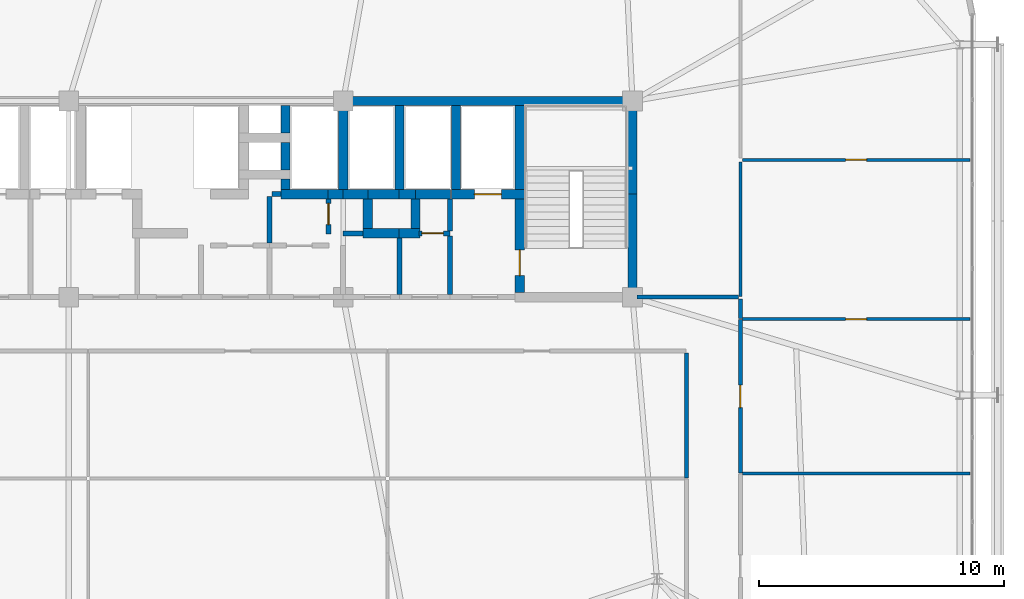
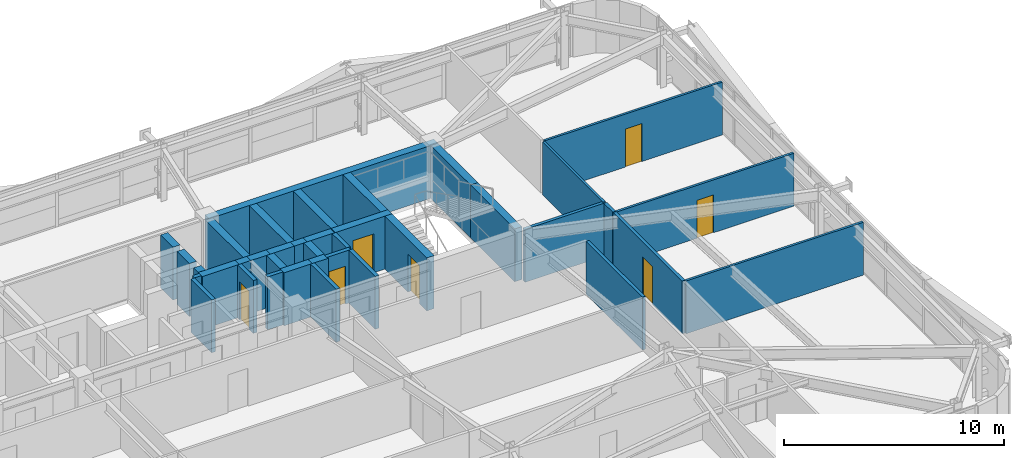
# One storey, part 55 of 59: 38 walls, 7 doors, 7 openings.
"""IFC4 building model written with IfcOpenShell, lengths in metres."""

from ifc_helpers import new_model, si_unit, direction, frame, frame_2d, origin, place, context, subcontext, project, spatial, rectangle, extrude, source, transform, mapped, material, layer, layer_set, type_object, element, fill, save


model = new_model("IFC4")

# Units and contexts
model_context = context("Model", 3, precision=1e-05, world=origin(), true_north=direction((0.0, 1.0)))
body_context = subcontext(model_context, "Body", "Model", "MODEL_VIEW")
ifc_project = project(units=[si_unit("LENGTHUNIT", "METRE"), si_unit("AREAUNIT", "SQUARE_METRE"), si_unit("VOLUMEUNIT", "CUBIC_METRE"), si_unit("PLANEANGLEUNIT", "RADIAN"), si_unit("MASSUNIT", "GRAM", prefix="KILO")], contexts=[model_context])

# Site, building, storey
site_placement = place(None, origin())
site = spatial("IfcSite", under=ifc_project, at=site_placement, CompositionType="ELEMENT")
building_placement = place(site_placement, origin())
building = spatial("IfcBuilding", under=site, at=building_placement, Name="Taldren Reach Tower", CompositionType="ELEMENT")
storey_placement = place(building_placement, frame((0.0, 0.0, 45.14990234375)))
storey = spatial("IfcBuildingStorey", under=building, at=storey_placement, Name="L13", CompositionType="ELEMENT", Elevation=45.14990234375)

# Walls
ifc_material_1 = material(Name="Concrete S80 (80 MPa)", Category="concrete")
ifc_layer_1 = layer(ifc_material_1, 0.3798828125)
ifc_layer_set_1 = layer_set([ifc_layer_1], Name="Concrete S80 (80 MPa)")
wall_type_1 = type_object("IfcWallType", Name="IW-CORE-380", PredefinedType="SHEAR", material=ifc_layer_set_1)
shared_shape_1 = source(origin(), body_context, "Body", "SweptSolid", [
    extrude(rectangle(XDim=11.989990234375, YDim=0.3798828125, at=frame_2d((5.9951171875, 0.0))), origin(), (0.0, 0.0, 1.0), 2.93017578125),
])
wall_1_placement = place(storey_placement, frame((39.199951171875, 32.0, 0.0), z_axis=(0.0, 0.0, 1.0), x_axis=(1.0, 0.0, 0.0)))
element("IfcWall", 1, at=wall_1_placement, inside=storey, type_object=wall_type_1, Name="Rear Core Shear Wall W-CORE-L13-NORTH3", PredefinedType="SHEAR", context=body_context, shape_type="MappedRepresentation", body=[
    mapped(shared_shape_1, transform((0.0, 0.0, 0.0), scale=1.0)),
])
shared_shape_2 = source(origin(), body_context, "Body", "SweptSolid", [
    extrude(rectangle(XDim=4.010009765625, YDim=0.3798828125, at=frame_2d((2.0048828125, 0.0))), origin(), (0.0, 0.0, 1.0), 2.93017578125),
])
wall_2_placement = place(storey_placement, frame((51.0, 24.18994140625, 0.0), z_axis=(0.0, 0.0, 1.0), x_axis=(0.0, 1.0, 0.0)))
element("IfcWall", 2, at=wall_2_placement, inside=storey, type_object=wall_type_1, Name="Rear Core Shear Wall W-CORE-L13-EAST1", PredefinedType="SHEAR", context=body_context, shape_type="MappedRepresentation", body=[
    mapped(shared_shape_2, transform((0.0, 0.0, 0.0), scale=1.0)),
])
shared_shape_3 = source(origin(), body_context, "Body", "SweptSolid", [
    extrude(rectangle(XDim=3.610107421875, YDim=0.3798828125, at=frame_2d((1.80517578125, 0.0))), origin(), (0.0, 0.0, 1.0), 2.93017578125),
])
wall_3_placement = place(storey_placement, frame((51.0, 28.199951171875, 0.0), z_axis=(0.0, 0.0, 1.0), x_axis=(0.0, 1.0, 0.0)))
element("IfcWall", 3, at=wall_3_placement, inside=storey, type_object=wall_type_1, Name="Rear Core Shear Wall W-CORE-L13-EAST2", PredefinedType="SHEAR", context=body_context, shape_type="MappedRepresentation", body=[
    mapped(shared_shape_3, transform((0.0, 0.0, 0.0), scale=1.0)),
])
shared_shape_4 = source(origin(), body_context, "Body", "SweptSolid", [
    extrude(rectangle(XDim=3.420166015625, YDim=0.3798828125, at=frame_2d((1.7099609375, 0.0))), origin(), (0.0, 0.0, 1.0), 2.93017578125),
])
for number, where, z_axis, x_axis, name in (
    (4, (46.39990234375, 31.81005859375, 0.0), (0.0, 0.0, 1.0), (0.0, -1.0, 0.0), "Rear Core Shear Wall W-INT-L13-008"),
    (5, (43.800048828125, 31.81005859375, 0.0), (0.0, 0.0, 1.0), (0.0, -1.0, 0.0), "Rear Core Shear Wall W-INT-L13-012"),
    (6, (39.199951171875, 28.389892578125, 0.0), (0.0, 0.0, 1.0), (0.0, 1.0, 0.0), "Rear Core Shear Wall W-INT-L13-037"),
    (7, (41.5, 28.389892578125, 0.0), (0.0, 0.0, 1.0), (0.0, 1.0, 0.0), "Rear Core Shear Wall W-INT-L13-041"),
):
    element("IfcWall", number, at=place(storey_placement, frame(where, z_axis=z_axis, x_axis=x_axis)), inside=storey, type_object=wall_type_1, Name=name, PredefinedType="SHEAR", context=body_context, shape_type="MappedRepresentation", body=[
        mapped(shared_shape_4, transform((0.0, 0.0, 0.0), scale=1.0)),
    ])

# Wall, opening, door
shared_shape_5 = source(origin(), body_context, "Body", "SweptSolid", [
    extrude(rectangle(XDim=3.820068359375, YDim=0.3798828125, at=frame_2d((1.91015625, 0.0))), origin(), (0.0, 0.0, 1.0), 2.93017578125),
])
wall_4_placement = place(storey_placement, frame((46.39990234375, 28.010009765625, 0.0), z_axis=(0.0, 0.0, 1.0), x_axis=(0.0, -1.0, 0.0)))
wall_4 = element("IfcWall", 8, at=wall_4_placement, inside=storey, type_object=wall_type_1, Name="Rear Core Shear Wall W-INT-L13-009", PredefinedType="SHEAR", context=body_context, shape_type="MappedRepresentation", body=[
    mapped(shared_shape_5, transform((0.0, 0.0, 0.0), scale=1.0)),
])
shared_shape_6 = source(origin(), body_context, "Body", "SweptSolid", [
    extrude(rectangle(XDim=1.050048828125, YDim=2.10009765625, at=frame_2d((0.52490234375, 1.050048828125))), frame((0.0, 0.199951171875, 0.0), z_axis=(0.0, -1.0, 0.0), x_axis=(1.0, 0.0, 0.0)), (0.0, 0.0, 1.0), 0.39990234375),
])
opening_1_placement = place(wall_4_placement, frame((2.0849609375, 0.0, 0.0)))
opening_1 = element("IfcOpeningElement", 9, at=opening_1_placement, cuts=wall_4, Name="Opening DF-105", PredefinedType="OPENING", context=body_context, shape_type="MappedRepresentation", body=[
    mapped(shared_shape_6, transform((0.0, 0.0, 0.0), scale=1.0)),
])
ifc_material_2 = material(Name="Fire-Rated Care and Stair Exit Door")
door_type_1 = type_object("IfcDoorType", Name="ID-FIRE-105", OperationType="NOTDEFINED", PredefinedType="DOOR", material=ifc_material_2)
shared_shape_7 = source(origin(), body_context, "Body", "SweptSolid", [
    extrude(rectangle(XDim=1.050048828125, YDim=2.10009765625, at=frame_2d((0.52490234375, 1.050048828125))), frame((0.0, 0.02490234375, 0.0), z_axis=(0.0, -1.0, 0.0), x_axis=(1.0, 0.0, 0.0)), (0.0, 0.0, 1.0), 0.050048828125),
])
door_1_placement = place(opening_1_placement, origin())
door_1 = element("IfcDoor", 10, at=door_1_placement, inside=storey, type_object=door_type_1, Name="Fire Exit Stair Door DR-L13-003", OperationType="SINGLE_SWING_RIGHT", OverallHeight=2.10009765625, OverallWidth=1.050048828125, PredefinedType="DOOR", context=body_context, shape_type="MappedRepresentation", body=[
    mapped(shared_shape_7, transform((0.0, 0.0, 0.0), scale=1.0)),
])
fill(opening_1, door_1)

shared_shape_8 = source(origin(), body_context, "Body", "SweptSolid", [
    extrude(rectangle(XDim=2.97998046875, YDim=0.3798828125, at=frame_2d((1.489990234375, 0.0))), origin(), (0.0, 0.0, 1.0), 2.93017578125),
])
wall_5_placement = place(storey_placement, frame((43.610107421875, 28.199951171875, 0.0), z_axis=(0.0, 0.0, 1.0), x_axis=(1.0, 0.0, 0.0)))
wall_5 = element("IfcWall", 11, at=wall_5_placement, inside=storey, type_object=wall_type_1, Name="Rear Core Shear Wall W-INT-L13-011", PredefinedType="SHEAR", context=body_context, shape_type="MappedRepresentation", body=[
    mapped(shared_shape_8, transform((0.0, 0.0, 0.0), scale=1.0)),
])
shared_shape_9 = source(origin(), body_context, "Body", "SweptSolid", [
    extrude(rectangle(XDim=1.10009765625, YDim=2.14990234375, at=frame_2d((0.550048828125, 1.074951171875))), frame((0.0, 0.199951171875, 0.0), z_axis=(0.0, -1.0, 0.0), x_axis=(1.0, 0.0, 0.0)), (0.0, 0.0, 1.0), 0.39990234375),
])
opening_2_placement = place(wall_5_placement, frame((0.93994140625, 0.0, 0.0)))
opening_2 = element("IfcOpeningElement", 12, at=opening_2_placement, cuts=wall_5, Name="Opening LD-FL2", PredefinedType="OPENING", context=body_context, shape_type="MappedRepresentation", body=[
    mapped(shared_shape_9, transform((0.0, 0.0, 0.0), scale=1.0)),
])
ifc_material_3 = material(Name="Stainless Steel Gr 316 Emergency Lift Landing Door", Category="steel")
door_type_2 = type_object("IfcDoorType", Name="LD-EMG-110", OperationType="SLIDING_TO_LEFT", PredefinedType="DOOR", material=ifc_material_3)
shared_shape_10 = source(origin(), body_context, "Body", "SweptSolid", [
    extrude(rectangle(XDim=1.10009765625, YDim=2.14990234375, at=frame_2d((0.550048828125, 1.074951171875))), frame((0.0, 0.02490234375, 0.0), z_axis=(0.0, -1.0, 0.0), x_axis=(1.0, 0.0, 0.0)), (0.0, 0.0, 1.0), 0.050048828125),
])
door_2_placement = place(opening_2_placement, origin())
door_2 = element("IfcDoor", 13, at=door_2_placement, inside=storey, type_object=door_type_2, Name="Lift Landing Door LD-FL2-L13", OperationType="SLIDING_TO_LEFT", OverallHeight=2.14990234375, OverallWidth=1.10009765625, PredefinedType="DOOR", context=body_context, shape_type="MappedRepresentation", body=[
    mapped(shared_shape_10, transform((0.0, 0.0, 0.0), scale=1.0)),
])
fill(opening_2, door_2)

# Walls
ifc_material_4 = material(Name="Concrete S50 (50 MPa)", Category="concrete")
ifc_layer_2 = layer(ifc_material_4, 0.199951171875)
ifc_layer_set_2 = layer_set([ifc_layer_2], Name="Concrete S50 (50 MPa)")
wall_type_2 = type_object("IfcWallType", Name="IW-CORE-200", PredefinedType="SOLIDWALL", material=ifc_layer_set_2)
shared_shape_11 = source(origin(), body_context, "Body", "SweptSolid", [
    extrude(rectangle(XDim=2.39990234375, YDim=0.199951171875, at=frame_2d((1.199951171875, 0.0))), origin(), (0.0, 0.0, 1.0), 2.93017578125),
])
wall_6_placement = place(storey_placement, frame((43.550048828125, 26.5, 0.0), z_axis=(0.0, 0.0, 1.0), x_axis=(0.0, -1.0, 0.0)))
element("IfcWall", 14, at=wall_6_placement, inside=storey, type_object=wall_type_2, Name="Rear Core Shear Wall W-INT-L13-013", PredefinedType="SOLIDWALL", context=body_context, shape_type="MappedRepresentation", body=[
    mapped(shared_shape_11, transform((0.0, 0.0, 0.0), scale=1.0)),
])
shared_shape_12 = source(origin(), body_context, "Body", "SweptSolid", [
    extrude(rectangle(XDim=1.31005859375, YDim=0.199951171875, at=frame_2d((0.655029296875, 0.0))), origin(), (0.0, 0.0, 1.0), 2.93017578125),
])
wall_7_placement = place(storey_placement, frame((43.550048828125, 28.010009765625, 0.0), z_axis=(0.0, 0.0, 1.0), x_axis=(0.0, -1.0, 0.0)))
element("IfcWall", 15, at=wall_7_placement, inside=storey, type_object=wall_type_2, Name="Rear Core Shear Wall W-INT-L13-014", PredefinedType="SOLIDWALL", context=body_context, shape_type="MappedRepresentation", body=[
    mapped(shared_shape_12, transform((0.0, 0.0, 0.0), scale=1.0)),
])
shared_shape_13 = source(origin(), body_context, "Body", "SweptSolid", [
    extrude(rectangle(XDim=1.1201171875, YDim=0.3798828125, at=frame_2d((0.56005859375, 0.0))), origin(), (0.0, 0.0, 1.0), 2.93017578125),
])
for number, where, z_axis, x_axis, name in (
    (16, (36.85009765625, 30.68994140625, 0.0), (0.0, 0.0, 1.0), (0.0, 1.0, 0.0), "Rear Core Shear Wall W-INT-L13-018"),
    (17, (36.85009765625, 29.18994140625, 0.0), (0.0, 0.0, 1.0), (0.0, 1.0, 0.0), "Rear Core Shear Wall W-INT-L13-020"),
):
    element("IfcWall", number, at=place(storey_placement, frame(where, z_axis=z_axis, x_axis=x_axis)), inside=storey, type_object=wall_type_1, Name=name, PredefinedType="SHEAR", context=body_context, shape_type="MappedRepresentation", body=[
        mapped(shared_shape_13, transform((0.0, 0.0, 0.0), scale=1.0)),
    ])
shared_shape_14 = source(origin(), body_context, "Body", "SweptSolid", [
    extrude(rectangle(XDim=1.219970703125, YDim=0.3798828125, at=frame_2d((0.60986328125, 0.0))), origin(), (0.0, 0.0, 1.0), 2.93017578125),
])
for number, where, z_axis, x_axis, name in (
    (18, (40.199951171875, 28.010009765625, 0.0), (0.0, 0.0, 1.0), (0.0, -1.0, 0.0), "Rear Core Shear Wall W-INT-L13-027"),
    (19, (42.14990234375, 26.7900390625, 0.0), (0.0, 0.0, 1.0), (0.0, 1.0, 0.0), "Rear Core Shear Wall W-INT-L13-029"),
):
    element("IfcWall", number, at=place(storey_placement, frame(where, z_axis=z_axis, x_axis=x_axis)), inside=storey, type_object=wall_type_1, Name=name, PredefinedType="SHEAR", context=body_context, shape_type="MappedRepresentation", body=[
        mapped(shared_shape_14, transform((0.0, 0.0, 0.0), scale=1.0)),
    ])
shared_shape_15 = source(origin(), body_context, "Body", "SweptSolid", [
    extrude(rectangle(XDim=1.320068359375, YDim=0.3798828125, at=frame_2d((0.66015625, 0.0))), origin(), (0.0, 0.0, 1.0), 2.93017578125),
])
wall_8_placement = place(storey_placement, frame((41.52001953125, 28.199951171875, 0.0), z_axis=(0.0, 0.0, 1.0), x_axis=(-1.0, 0.0, 0.0)))
element("IfcWall", 20, at=wall_8_placement, inside=storey, type_object=wall_type_1, Name="Rear Core Shear Wall W-INT-L13-024", PredefinedType="SHEAR", context=body_context, shape_type="MappedRepresentation", body=[
    mapped(shared_shape_15, transform((0.0, 0.0, 0.0), scale=1.0)),
])
shared_shape_16 = source(origin(), body_context, "Body", "SweptSolid", [
    extrude(rectangle(XDim=0.669921875, YDim=0.3798828125, at=frame_2d((0.3349609375, 0.0))), origin(), (0.0, 0.0, 1.0), 2.93017578125),
])
wall_9_placement = place(storey_placement, frame((42.14990234375, 28.199951171875, 0.0), z_axis=(0.0, 0.0, 1.0), x_axis=(-1.0, 0.0, 0.0)))
element("IfcWall", 21, at=wall_9_placement, inside=storey, type_object=wall_type_1, Name="Rear Core Shear Wall W-INT-L13-025", PredefinedType="SHEAR", context=body_context, shape_type="MappedRepresentation", body=[
    mapped(shared_shape_16, transform((0.0, 0.0, 0.0), scale=1.0)),
])
shared_shape_17 = source(origin(), body_context, "Body", "SweptSolid", [
    extrude(rectangle(XDim=1.510009765625, YDim=0.3798828125, at=frame_2d((0.7548828125, 0.0))), origin(), (0.0, 0.0, 1.0), 2.93017578125),
])
wall_10_placement = place(storey_placement, frame((40.010009765625, 26.60009765625, 0.0), z_axis=(0.0, 0.0, 1.0), x_axis=(1.0, 0.0, 0.0)))
element("IfcWall", 22, at=wall_10_placement, inside=storey, type_object=wall_type_1, Name="Rear Core Shear Wall W-INT-L13-026", PredefinedType="SHEAR", context=body_context, shape_type="MappedRepresentation", body=[
    mapped(shared_shape_17, transform((0.0, 0.0, 0.0), scale=1.0)),
])
shared_shape_18 = source(origin(), body_context, "Body", "SweptSolid", [
    extrude(rectangle(XDim=0.860107421875, YDim=0.3798828125, at=frame_2d((0.43017578125, 0.0))), origin(), (0.0, 0.0, 1.0), 2.93017578125),
])
wall_11_placement = place(storey_placement, frame((41.47998046875, 26.60009765625, 0.0), z_axis=(0.0, 0.0, 1.0), x_axis=(1.0, 0.0, 0.0)))
element("IfcWall", 23, at=wall_11_placement, inside=storey, type_object=wall_type_1, Name="Rear Core Shear Wall W-INT-L13-028", PredefinedType="SHEAR", context=body_context, shape_type="MappedRepresentation", body=[
    mapped(shared_shape_18, transform((0.0, 0.0, 0.0), scale=1.0)),
])
shared_shape_19 = source(origin(), body_context, "Body", "SweptSolid", [
    extrude(rectangle(XDim=2.309814453125, YDim=0.199951171875, at=frame_2d((1.15478515625, 0.0))), origin(), (0.0, 0.0, 1.0), 2.93017578125),
])
wall_12_placement = place(storey_placement, frame((41.5, 26.409912109375, 0.0), z_axis=(0.0, 0.0, 1.0), x_axis=(0.0, -1.0, 0.0)))
element("IfcWall", 24, at=wall_12_placement, inside=storey, type_object=wall_type_2, Name="Rear Core Shear Wall W-INT-L13-056", PredefinedType="SOLIDWALL", context=body_context, shape_type="MappedRepresentation", body=[
    mapped(shared_shape_19, transform((0.0, 0.0, 0.0), scale=1.0)),
])
shared_shape_20 = source(origin(), body_context, "Body", "SweptSolid", [
    extrude(rectangle(XDim=0.420166015625, YDim=0.3798828125, at=frame_2d((0.2099609375, 0.0))), origin(), (0.0, 0.0, 1.0), 2.93017578125),
])
wall_13_placement = place(storey_placement, frame((36.85009765625, 28.81005859375, 0.0), z_axis=(0.0, 0.0, 1.0), x_axis=(0.0, -1.0, 0.0)))
element("IfcWall", 25, at=wall_13_placement, inside=storey, type_object=wall_type_1, Name="Rear Core Shear Wall W-INT-L13-038", PredefinedType="SHEAR", context=body_context, shape_type="MappedRepresentation", body=[
    mapped(shared_shape_20, transform((0.0, 0.0, 0.0), scale=1.0)),
])
shared_shape_21 = source(origin(), body_context, "Body", "SweptSolid", [
    extrude(rectangle(XDim=1.960205078125, YDim=0.3798828125, at=frame_2d((0.97998046875, 0.0))), origin(), (0.0, 0.0, 1.0), 2.93017578125),
])
wall_14_placement = place(storey_placement, frame((36.659912109375, 28.199951171875, 0.0), z_axis=(0.0, 0.0, 1.0), x_axis=(1.0, 0.0, 0.0)))
element("IfcWall", 26, at=wall_14_placement, inside=storey, type_object=wall_type_1, Name="Rear Core Shear Wall W-INT-L13-039", PredefinedType="SHEAR", context=body_context, shape_type="MappedRepresentation", body=[
    mapped(shared_shape_21, transform((0.0, 0.0, 0.0), scale=1.0)),
])
shared_shape_22 = source(origin(), body_context, "Body", "SweptSolid", [
    extrude(rectangle(XDim=0.619873046875, YDim=0.3798828125, at=frame_2d((0.31005859375, 0.0))), origin(), (0.0, 0.0, 1.0), 2.93017578125),
])
wall_15_placement = place(storey_placement, frame((38.580078125, 28.199951171875, 0.0), z_axis=(0.0, 0.0, 1.0), x_axis=(1.0, 0.0, 0.0)))
element("IfcWall", 27, at=wall_15_placement, inside=storey, type_object=wall_type_1, Name="Rear Core Shear Wall W-INT-L13-040", PredefinedType="SHEAR", context=body_context, shape_type="MappedRepresentation", body=[
    mapped(shared_shape_22, transform((0.0, 0.0, 0.0), scale=1.0)),
])
shared_shape_23 = source(origin(), body_context, "Body", "SweptSolid", [
    extrude(rectangle(XDim=1.02001953125, YDim=0.3798828125, at=frame_2d((0.510009765625, 0.0))), origin(), (0.0, 0.0, 1.0), 2.93017578125),
])
wall_16_placement = place(storey_placement, frame((39.199951171875, 28.199951171875, 0.0), z_axis=(0.0, 0.0, 1.0), x_axis=(1.0, 0.0, 0.0)))
element("IfcWall", 28, at=wall_16_placement, inside=storey, type_object=wall_type_1, Name="Rear Core Shear Wall W-INT-L13-042", PredefinedType="SHEAR", context=body_context, shape_type="MappedRepresentation", body=[
    mapped(shared_shape_23, transform((0.0, 0.0, 0.0), scale=1.0)),
])
shared_shape_24 = source(origin(), body_context, "Body", "SweptSolid", [
    extrude(rectangle(XDim=1.440185546875, YDim=0.3798828125, at=frame_2d((0.72021484375, 0.0))), origin(), (0.0, 0.0, 1.0), 2.93017578125),
])
wall_17_placement = place(storey_placement, frame((42.1298828125, 28.199951171875, 0.0), z_axis=(0.0, 0.0, 1.0), x_axis=(1.0, 0.0, 0.0)))
element("IfcWall", 29, at=wall_17_placement, inside=storey, type_object=wall_type_1, Name="Rear Core Shear Wall W-INT-L13-043", PredefinedType="SHEAR", context=body_context, shape_type="MappedRepresentation", body=[
    mapped(shared_shape_24, transform((0.0, 0.0, 0.0), scale=1.0)),
])
shared_shape_25 = source(origin(), body_context, "Body", "SweptSolid", [
    extrude(rectangle(XDim=1.900146484375, YDim=0.199951171875, at=frame_2d((0.9501953125, 0.0))), origin(), (0.0, 0.0, 1.0), 2.93017578125),
])
wall_18_placement = place(storey_placement, frame((36.199951171875, 28.10009765625, 0.0), z_axis=(0.0, 0.0, 1.0), x_axis=(0.0, -1.0, 0.0)))
element("IfcWall", 30, at=wall_18_placement, inside=storey, type_object=wall_type_2, Name="Rear Core Shear Wall W-INT-L13-049", PredefinedType="SOLIDWALL", context=body_context, shape_type="MappedRepresentation", body=[
    mapped(shared_shape_25, transform((0.0, 0.0, 0.0), scale=1.0)),
])
shared_shape_26 = source(origin(), body_context, "Body", "SweptSolid", [
    extrude(rectangle(XDim=0.35986328125, YDim=0.199951171875, at=frame_2d((0.179931640625, 0.0))), origin(), (0.0, 0.0, 1.0), 2.93017578125),
])
wall_19_placement = place(storey_placement, frame((36.659912109375, 28.199951171875, 0.0), z_axis=(0.0, 0.0, 1.0), x_axis=(-1.0, 0.0, 0.0)))
element("IfcWall", 31, at=wall_19_placement, inside=storey, type_object=wall_type_2, Name="Rear Core Shear Wall W-INT-L13-050", PredefinedType="SOLIDWALL", context=body_context, shape_type="MappedRepresentation", body=[
    mapped(shared_shape_26, transform((0.0, 0.0, 0.0), scale=1.0)),
])

# Wall, opening, door
shared_shape_27 = source(origin(), body_context, "Body", "SweptSolid", [
    extrude(rectangle(XDim=1.429931640625, YDim=0.199951171875, at=frame_2d((0.71484375, 0.0))), origin(), (0.0, 0.0, 1.0), 2.93017578125),
])
wall_20_placement = place(storey_placement, frame((38.60009765625, 28.010009765625, 0.0), z_axis=(0.0, 0.0, 1.0), x_axis=(0.0, -1.0, 0.0)))
wall_20 = element("IfcWall", 32, at=wall_20_placement, inside=storey, type_object=wall_type_2, Name="Rear Core Shear Wall W-INT-L13-054", PredefinedType="SOLIDWALL", context=body_context, shape_type="MappedRepresentation", body=[
    mapped(shared_shape_27, transform((0.0, 0.0, 0.0), scale=1.0)),
])
shared_shape_28 = source(origin(), body_context, "Body", "SweptSolid", [
    extrude(rectangle(XDim=0.860107421875, YDim=2.10009765625, at=frame_2d((0.43017578125, 1.050048828125))), frame((0.0, 0.10986328125, 0.0), z_axis=(0.0, -1.0, 0.0), x_axis=(1.0, 0.0, 0.0)), (0.0, 0.0, 1.0), 0.219970703125),
])
opening_3_placement = place(wall_20_placement, frame((0.18994140625, 0.0, 0.0)))
opening_3 = element("IfcOpeningElement", 33, at=opening_3_placement, cuts=wall_20, Name="Opening DI-086", PredefinedType="OPENING", context=body_context, shape_type="MappedRepresentation", body=[
    mapped(shared_shape_28, transform((0.0, 0.0, 0.0), scale=1.0)),
])
ifc_material_5 = material(Name="Timber Bathroom Door", Category="wood")
door_type_3 = type_object("IfcDoorType", Name="ID-INT-086", OperationType="NOTDEFINED", PredefinedType="DOOR", material=ifc_material_5)
shared_shape_29 = source(origin(), body_context, "Body", "SweptSolid", [
    extrude(rectangle(XDim=0.860107421875, YDim=2.10009765625, at=frame_2d((0.43017578125, 1.050048828125))), frame((0.0, 0.02490234375, 0.0), z_axis=(0.0, -1.0, 0.0), x_axis=(1.0, 0.0, 0.0)), (0.0, 0.0, 1.0), 0.050048828125),
])
door_3_placement = place(opening_3_placement, origin())
door_3 = element("IfcDoor", 34, at=door_3_placement, inside=storey, type_object=door_type_3, Name="Interior Door DR-L13-035", OperationType="SINGLE_SWING_RIGHT", OverallHeight=2.10009765625, OverallWidth=0.860107421875, PredefinedType="DOOR", context=body_context, shape_type="MappedRepresentation", body=[
    mapped(shared_shape_29, transform((0.0, 0.0, 0.0), scale=1.0)),
])
fill(opening_3, door_3)

# Wall
shared_shape_30 = source(origin(), body_context, "Body", "SweptSolid", [
    extrude(rectangle(XDim=0.81005859375, YDim=0.199951171875, at=frame_2d((0.405029296875, 0.0))), origin(), (0.0, 0.0, 1.0), 2.93017578125),
])
wall_21_placement = place(storey_placement, frame((39.199951171875, 26.60009765625, 0.0), z_axis=(0.0, 0.0, 1.0), x_axis=(1.0, 0.0, 0.0)))
element("IfcWall", 35, at=wall_21_placement, inside=storey, type_object=wall_type_2, Name="Rear Core Shear Wall W-INT-L13-055", PredefinedType="SOLIDWALL", context=body_context, shape_type="MappedRepresentation", body=[
    mapped(shared_shape_30, transform((0.0, 0.0, 0.0), scale=1.0)),
])

# Wall, opening, door
shared_shape_31 = source(origin(), body_context, "Body", "SweptSolid", [
    extrude(rectangle(XDim=1.25, YDim=0.199951171875, at=frame_2d((0.625, 0.0))), origin(), (0.0, 0.0, 1.0), 2.93017578125),
])
wall_22_placement = place(storey_placement, frame((42.300048828125, 26.60009765625, 0.0), z_axis=(0.0, 0.0, 1.0), x_axis=(1.0, 0.0, 0.0)))
wall_22 = element("IfcWall", 36, at=wall_22_placement, inside=storey, type_object=wall_type_2, Name="Rear Core Shear Wall W-INT-L13-058", PredefinedType="SOLIDWALL", context=body_context, shape_type="MappedRepresentation", body=[
    mapped(shared_shape_31, transform((0.0, 0.0, 0.0), scale=1.0)),
])
shared_shape_32 = source(origin(), body_context, "Body", "SweptSolid", [
    extrude(rectangle(XDim=0.8798828125, YDim=2.10009765625, at=frame_2d((0.43994140625, 1.050048828125))), frame((0.0, 0.10986328125, 0.0), z_axis=(0.0, -1.0, 0.0), x_axis=(1.0, 0.0, 0.0)), (0.0, 0.0, 1.0), 0.219970703125),
])
opening_4_placement = place(wall_22_placement, frame((0.110107421875, 0.0, 0.0)))
opening_4 = element("IfcOpeningElement", 37, at=opening_4_placement, cuts=wall_22, Name="Opening DF-088", PredefinedType="OPENING", context=body_context, shape_type="MappedRepresentation", body=[
    mapped(shared_shape_32, transform((0.0, 0.0, 0.0), scale=1.0)),
])
ifc_material_6 = material(Name="Fire-Rated Service Closet Door")
door_type_4 = type_object("IfcDoorType", Name="ID-FIRE-088", OperationType="NOTDEFINED", PredefinedType="DOOR", material=ifc_material_6)
shared_shape_33 = source(origin(), body_context, "Body", "SweptSolid", [
    extrude(rectangle(XDim=0.8798828125, YDim=2.10009765625, at=frame_2d((0.43994140625, 1.050048828125))), frame((0.0, 0.02490234375, 0.0), z_axis=(0.0, -1.0, 0.0), x_axis=(1.0, 0.0, 0.0)), (0.0, 0.0, 1.0), 0.050048828125),
])
door_4_placement = place(opening_4_placement, origin())
door_4 = element("IfcDoor", 38, at=door_4_placement, inside=storey, type_object=door_type_4, Name="Interior Door DR-L13-012", OperationType="SINGLE_SWING_LEFT", OverallHeight=2.10009765625, OverallWidth=0.8798828125, PredefinedType="DOOR", context=body_context, shape_type="MappedRepresentation", body=[
    mapped(shared_shape_33, transform((0.0, 0.0, 0.0), scale=1.0)),
])
fill(opening_4, door_4)

# Walls
ifc_material_7 = material(Name="Fire-Rated Acoustic Plasterboard Stud Wall", Category="gypsum")
ifc_layer_3 = layer(ifc_material_7, 0.159912109375)
ifc_layer_set_3 = layer_set([ifc_layer_3], Name="Fire-Rated Acoustic Plasterboard Stud Wall")
wall_type_3 = type_object("IfcWallType", Name="IW-FIRE-160", PredefinedType="PARTITIONING", material=ifc_layer_set_3)
shared_shape_34 = source(origin(), body_context, "Body", "SweptSolid", [
    extrude(rectangle(XDim=5.099853515625, YDim=0.159912109375, at=frame_2d((2.5498046875, 0.0))), origin(), (0.0, 0.0, 1.0), 2.93017578125),
])
wall_23_placement = place(storey_placement, frame((53.199951171875, 16.6201171875, 0.0), z_axis=(0.0, 0.0, 1.0), x_axis=(0.0, 1.0, 0.0)))
element("IfcWall", 39, at=wall_23_placement, inside=storey, type_object=wall_type_3, Name="Interior Partition Wall W-INT-L13-066", PredefinedType="PARTITIONING", context=body_context, shape_type="MappedRepresentation", body=[
    mapped(shared_shape_34, transform((0.0, 0.0, 0.0), scale=1.0)),
])
shared_shape_35 = source(origin(), body_context, "Body", "SweptSolid", [
    extrude(rectangle(XDim=4.130126953125, YDim=0.159912109375, at=frame_2d((2.06494140625, 0.0))), origin(), (0.0, 0.0, 1.0), 2.93017578125),
])
wall_24_placement = place(storey_placement, frame((51.18994140625, 24.0, 0.0), z_axis=(0.0, 0.0, 1.0), x_axis=(1.0, 0.0, 0.0)))
element("IfcWall", 40, at=wall_24_placement, inside=storey, type_object=wall_type_3, Name="Interior Partition Wall W-INT-L13-076", PredefinedType="PARTITIONING", context=body_context, shape_type="MappedRepresentation", body=[
    mapped(shared_shape_35, transform((0.0, 0.0, 0.0), scale=1.0)),
])
ifc_material_8 = material(Name="Insulated Residential Stud Partition", Category="gypsum")
ifc_layer_4 = layer(ifc_material_8, 0.1201171875)
ifc_layer_set_4 = layer_set([ifc_layer_4], Name="Insulated Residential Stud Partition")
wall_type_4 = type_object("IfcWallType", Name="IW-PART-120", PredefinedType="PARTITIONING", material=ifc_layer_set_4)
shared_shape_36 = source(origin(), body_context, "Body", "SweptSolid", [
    extrude(rectangle(XDim=9.2900390625, YDim=0.1201171875, at=frame_2d((4.64501953125, 0.0))), origin(), (0.0, 0.0, 1.0), 2.93017578125),
])
wall_25_placement = place(storey_placement, frame((55.47998046875, 16.800048828125, 0.0), z_axis=(0.0, 0.0, 1.0), x_axis=(1.0, 0.0, 0.0)))
element("IfcWall", 41, at=wall_25_placement, inside=storey, type_object=wall_type_4, Name="Interior Partition Wall W-INT-L13-122", PredefinedType="PARTITIONING", context=body_context, shape_type="MappedRepresentation", body=[
    mapped(shared_shape_36, transform((0.0, 0.0, 0.0), scale=1.0)),
])

# Wall, opening, door
wall_26_placement = place(storey_placement, frame((55.47998046875, 23.10009765625, 0.0), z_axis=(0.0, 0.0, 1.0), x_axis=(1.0, 0.0, 0.0)))
wall_26 = element("IfcWall", 42, at=wall_26_placement, inside=storey, type_object=wall_type_4, Name="Interior Partition Wall W-INT-L13-123", PredefinedType="PARTITIONING", context=body_context, shape_type="MappedRepresentation", body=[
    mapped(shared_shape_36, transform((0.0, 0.0, 0.0), scale=1.0)),
])
shared_shape_37 = source(origin(), body_context, "Body", "SweptSolid", [
    extrude(rectangle(XDim=0.860107421875, YDim=2.10009765625, at=frame_2d((0.43017578125, 1.050048828125))), frame((0.0, 0.070068359375, 0.0), z_axis=(0.0, -1.0, 0.0), x_axis=(1.0, 0.0, 0.0)), (0.0, 0.0, 1.0), 0.14013671875),
])
opening_5_placement = place(wall_26_placement, frame((4.215087890625, 0.0, 0.0)))
opening_5 = element("IfcOpeningElement", 43, at=opening_5_placement, cuts=wall_26, Name="Opening DI-086", PredefinedType="OPENING", context=body_context, shape_type="MappedRepresentation", body=[
    mapped(shared_shape_37, transform((0.0, 0.0, 0.0), scale=1.0)),
])
door_5_placement = place(opening_5_placement, frame((0.860107421875, 0.0, 0.0), z_axis=(0.0, 0.0, 1.0), x_axis=(-1.0, 0.0, 0.0)))
door_5 = element("IfcDoor", 44, at=door_5_placement, inside=storey, type_object=door_type_3, Name="Interior Door DR-L13-038", OperationType="SINGLE_SWING_RIGHT", OverallHeight=2.10009765625, OverallWidth=0.860107421875, PredefinedType="DOOR", context=body_context, shape_type="MappedRepresentation", body=[
    mapped(shared_shape_29, transform((0.0, 0.0, 0.0), scale=1.0)),
])
fill(opening_5, door_5)

wall_27_placement = place(storey_placement, frame((55.47998046875, 29.60009765625, 0.0), z_axis=(0.0, 0.0, 1.0), x_axis=(1.0, 0.0, 0.0)))
wall_27 = element("IfcWall", 45, at=wall_27_placement, inside=storey, type_object=wall_type_4, Name="Interior Partition Wall W-INT-L13-124", PredefinedType="PARTITIONING", context=body_context, shape_type="MappedRepresentation", body=[
    mapped(shared_shape_36, transform((0.0, 0.0, 0.0), scale=1.0)),
])
opening_6_placement = place(wall_27_placement, frame((4.215087890625, 0.0, 0.0)))
opening_6 = element("IfcOpeningElement", 46, at=opening_6_placement, cuts=wall_27, Name="Opening DI-086", PredefinedType="OPENING", context=body_context, shape_type="MappedRepresentation", body=[
    mapped(shared_shape_37, transform((0.0, 0.0, 0.0), scale=1.0)),
])
door_6_placement = place(opening_6_placement, frame((0.860107421875, 0.0, 0.0), z_axis=(0.0, 0.0, 1.0), x_axis=(-1.0, 0.0, 0.0)))
door_6 = element("IfcDoor", 47, at=door_6_placement, inside=storey, type_object=door_type_3, Name="Interior Door DR-L13-039", OperationType="SINGLE_SWING_LEFT", OverallHeight=2.10009765625, OverallWidth=0.860107421875, PredefinedType="DOOR", context=body_context, shape_type="MappedRepresentation", body=[
    mapped(shared_shape_29, transform((0.0, 0.0, 0.0), scale=1.0)),
])
fill(opening_6, door_6)

shared_shape_38 = source(origin(), body_context, "Body", "SweptSolid", [
    extrude(rectangle(XDim=6.259521484375, YDim=0.159912109375, at=frame_2d((3.1298828125, 0.0))), origin(), (0.0, 0.0, 1.0), 2.93017578125),
])
wall_28_placement = place(storey_placement, frame((55.39990234375, 23.079833984375, 0.0), z_axis=(0.0, 0.0, 1.0), x_axis=(0.0, -1.0, 0.0)))
wall_28 = element("IfcWall", 48, at=wall_28_placement, inside=storey, type_object=wall_type_3, Name="Interior Partition Wall W-INT-L13-073", PredefinedType="PARTITIONING", context=body_context, shape_type="MappedRepresentation", body=[
    mapped(shared_shape_38, transform((0.0, 0.0, 0.0), scale=1.0)),
])
shared_shape_39 = source(origin(), body_context, "Body", "SweptSolid", [
    extrude(rectangle(XDim=0.919921875, YDim=2.10009765625, at=frame_2d((0.4599609375, 1.050048828125))), frame((0.0, 0.08984375, 0.0), z_axis=(0.0, -1.0, 0.0), x_axis=(1.0, 0.0, 0.0)), (0.0, 0.0, 1.0), 0.179931640625),
])
opening_7_placement = place(wall_28_placement, frame((2.669921875, 0.0, 0.0)))
opening_7 = element("IfcOpeningElement", 49, at=opening_7_placement, cuts=wall_28, Name="Opening DI-092", PredefinedType="OPENING", context=body_context, shape_type="MappedRepresentation", body=[
    mapped(shared_shape_39, transform((0.0, 0.0, 0.0), scale=1.0)),
])
ifc_material_9 = material(Name="Solid-Core Timber Suite Door", Category="wood")
door_type_5 = type_object("IfcDoorType", Name="ID-INT-092", OperationType="NOTDEFINED", PredefinedType="DOOR", material=ifc_material_9)
shared_shape_40 = source(origin(), body_context, "Body", "SweptSolid", [
    extrude(rectangle(XDim=0.919921875, YDim=2.10009765625, at=frame_2d((0.4599609375, 1.050048828125))), frame((0.0, 0.02490234375, 0.0), z_axis=(0.0, -1.0, 0.0), x_axis=(1.0, 0.0, 0.0)), (0.0, 0.0, 1.0), 0.050048828125),
])
door_7_placement = place(opening_7_placement, origin())
door_7 = element("IfcDoor", 50, at=door_7_placement, inside=storey, type_object=door_type_5, Name="Interior Door DR-L13-022", OperationType="SINGLE_SWING_LEFT", OverallHeight=2.10009765625, OverallWidth=0.919921875, PredefinedType="DOOR", context=body_context, shape_type="MappedRepresentation", body=[
    mapped(shared_shape_40, transform((0.0, 0.0, 0.0), scale=1.0)),
])
fill(opening_7, door_7)

# Walls
shared_shape_41 = source(origin(), body_context, "Body", "SweptSolid", [
    extrude(rectangle(XDim=0.7998046875, YDim=0.159912109375, at=frame_2d((0.39990234375, 0.0))), origin(), (0.0, 0.0, 1.0), 2.93017578125),
])
wall_29_placement = place(storey_placement, frame((55.39990234375, 23.919921875, 0.0), z_axis=(0.0, 0.0, 1.0), x_axis=(0.0, -1.0, 0.0)))
element("IfcWall", 51, at=wall_29_placement, inside=storey, type_object=wall_type_3, Name="Interior Partition Wall W-INT-L13-074", PredefinedType="PARTITIONING", context=body_context, shape_type="MappedRepresentation", body=[
    mapped(shared_shape_41, transform((0.0, 0.0, 0.0), scale=1.0)),
])
shared_shape_42 = source(origin(), body_context, "Body", "SweptSolid", [
    extrude(rectangle(XDim=5.499755859375, YDim=0.1201171875, at=frame_2d((2.75, 0.0))), origin(), (0.0, 0.0, 1.0), 2.93017578125),
])
wall_30_placement = place(storey_placement, frame((55.39990234375, 24.020263671875, 0.0), z_axis=(0.0, 0.0, 1.0), x_axis=(0.0, 1.0, 0.0)))
element("IfcWall", 52, at=wall_30_placement, inside=storey, type_object=wall_type_4, Name="Interior Partition Wall W-INT-L13-125", PredefinedType="PARTITIONING", context=body_context, shape_type="MappedRepresentation", body=[
    mapped(shared_shape_42, transform((0.0, 0.0, 0.0), scale=1.0)),
])

save(model, "model.ifc")
